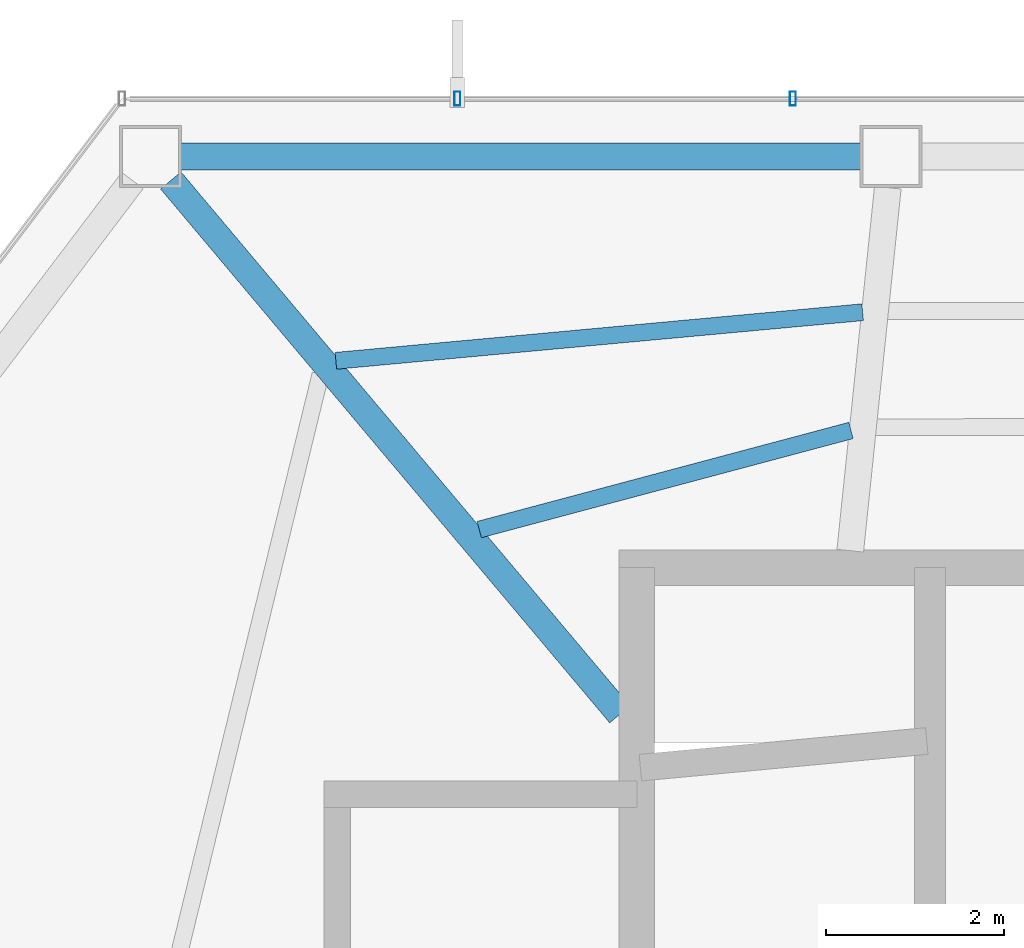
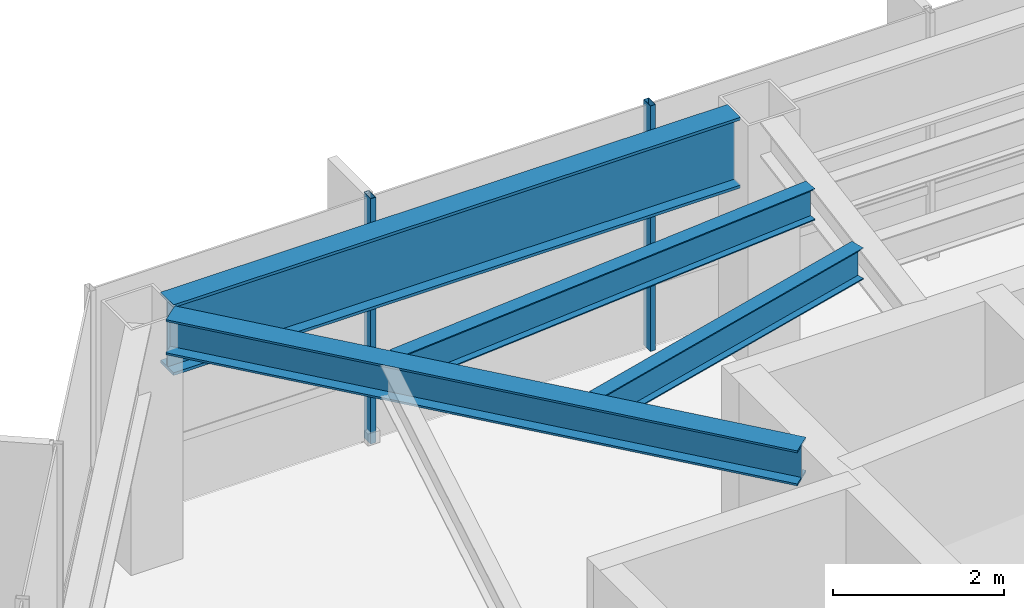
# One storey, part 12 of 27: 4 beams, 2 members, 1 element without a shape of its own.
"""IFC4 building model written with IfcOpenShell, lengths in metres."""

from ifc_helpers import new_model, si_unit, direction, frame, origin, origin_2d, place, context, subcontext, project, spatial, hollow_rectangle, i_section, extrude, material, layer, layer_set, material_profile, profile_set, type_object, element, aggregate, save


model = new_model("IFC4")

# Units and contexts
model_context = context("Model", 3, precision=1e-05, world=origin(), true_north=direction((0.0, 1.0)))
body_context = subcontext(model_context, "Body", "Model", "MODEL_VIEW")
ifc_project = project(units=[si_unit("LENGTHUNIT", "METRE"), si_unit("AREAUNIT", "SQUARE_METRE"), si_unit("VOLUMEUNIT", "CUBIC_METRE"), si_unit("PLANEANGLEUNIT", "RADIAN"), si_unit("MASSUNIT", "GRAM", prefix="KILO")], contexts=[model_context])

# Site, building, storey
site_placement = place(None, origin())
site = spatial("IfcSite", under=ifc_project, at=site_placement, CompositionType="ELEMENT")
building_placement = place(site_placement, origin())
building = spatial("IfcBuilding", under=site, at=building_placement, Name="Zarrinselat Tower", CompositionType="ELEMENT")
storey_placement = place(building_placement, frame((0.0, 0.0, 175.780029296875)))
storey = spatial("IfcBuildingStorey", under=building, at=storey_placement, Name="L43", CompositionType="ELEMENT", Elevation=175.780029296875)

# Beams
ifc_material_1 = material(Name="Steel S355J2", Category="steel")
ifc_material_profile_1 = material_profile(ifc_material_1, i_section(OverallWidth=0.300048828125, OverallDepth=0.5, WebThickness=0.014404296875, FlangeThickness=0.028076171875, at=origin_2d()), Name="HEB 500")
ifc_profile_set_1 = profile_set([ifc_material_profile_1], Name="Steel S355J2")
beam_type_1 = type_object("IfcBeamType", Name="BM-HEB500", PredefinedType="BEAM", material=ifc_profile_set_1)
beam_1_placement = place(storey_placement, frame((23.359619140625, 47.802978515625, 3.25), z_axis=(0.643777249364, -0.76521294631, 0.0), x_axis=(0.76521294631, 0.643777249364, 0.0)))
element("IfcBeam", 1, at=beam_1_placement, inside=storey, type_object=beam_type_1, Name="L43 Radial Primary Girder RG05", PredefinedType="BEAM", context=body_context, shape_type="SweptSolid", body=[
    extrude(i_section(OverallWidth=0.300048828125, OverallDepth=0.5, WebThickness=0.014404296875, FlangeThickness=0.028076171875, at=origin_2d()), origin(), (0.0, 0.0, 1.0), 7.8447265625),
])
ifc_material_2 = material(Name="Steel S460M", Category="steel")
ifc_material_profile_2 = material_profile(ifc_material_2, i_section(OverallWidth=0.302001953125, OverallDepth=1.008056640625, WebThickness=0.02099609375, FlangeThickness=0.0400390625, at=origin_2d()), Name="HEM 1000")
ifc_profile_set_2 = profile_set([ifc_material_profile_2], Name="Steel S460M")
beam_type_2 = type_object("IfcBeamType", Name="BM-HEM1000", PredefinedType="BEAM", material=ifc_profile_set_2)
beam_2_placement = place(storey_placement, frame((23.470947265625, 48.072265625, 2.995849609375), z_axis=(1.0, 0.0, 0.0), x_axis=(0.0, 1.0, 0.0)))
element("IfcBeam", 2, at=beam_2_placement, inside=storey, type_object=beam_type_2, Name="L43 Perimeter Spandrel Girder SP04", PredefinedType="BEAM", context=body_context, shape_type="SweptSolid", body=[
    extrude(i_section(OverallWidth=0.302001953125, OverallDepth=1.008056640625, WebThickness=0.02099609375, FlangeThickness=0.0400390625, at=origin_2d()), origin(), (0.0, 0.0, 1.0), 7.649658203125),
])
ifc_material_3 = material(Name="Steel S355J2", Category="steel")
ifc_material_profile_3 = material_profile(ifc_material_3, i_section(OverallWidth=0.18994140625, OverallDepth=0.449951171875, WebThickness=0.009521484375, FlangeThickness=0.0146484375, at=origin_2d()), Name="IPE 450")
ifc_profile_set_3 = profile_set([ifc_material_profile_3], Name="Steel S355J2")
beam_type_3 = type_object("IfcBeamType", Name="BM-IPE450", PredefinedType="JOIST", material=ifc_profile_set_3)
beam_3_placement = place(storey_placement, frame((25.216064453125, 45.77490234375, 3.27490234375), z_axis=(0.99577257183, 0.091853063051, 0.0), x_axis=(-0.091853063051, 0.99577257183, 0.0)))
element("IfcBeam", 3, at=beam_3_placement, inside=storey, type_object=beam_type_3, Name="L43 Composite Floor Joist 9-1", PredefinedType="JOIST", context=body_context, shape_type="SweptSolid", body=[
    extrude(i_section(OverallWidth=0.18994140625, OverallDepth=0.449951171875, WebThickness=0.009521484375, FlangeThickness=0.0146484375, at=origin_2d()), origin(), (0.0, 0.0, 1.0), 5.948486328125),
])
beam_4_placement = place(storey_placement, frame((26.828125, 43.877197265625, 3.27490234375), z_axis=(0.966247114954, 0.257616988656, 0.0), x_axis=(-0.257616988656, 0.966247114954, 0.0)))
element("IfcBeam", 4, at=beam_4_placement, inside=storey, type_object=beam_type_3, Name="L43 Composite Floor Joist 9-2", PredefinedType="JOIST", context=body_context, shape_type="SweptSolid", body=[
    extrude(i_section(OverallWidth=0.18994140625, OverallDepth=0.449951171875, WebThickness=0.009521484375, FlangeThickness=0.0146484375, at=origin_2d()), origin(), (0.0, 0.0, 1.0), 4.326171875),
])

# Curtain wall, members
ifc_material_4 = material(Name="Extruded Aluminium Alloy EN AW-6063 T6", Category="aluminium")
ifc_layer = layer(ifc_material_4, 0.175048828125)
ifc_layer_set = layer_set([ifc_layer], Name="Extruded Aluminium Alloy EN AW-6063 T6")
curtain_wall_type = type_object("IfcCurtainWallType", Name="CWS-HTL", PredefinedType="NOTDEFINED", material=ifc_layer_set)
curtain_wall_placement = place(storey_placement, origin())
curtain_wall = element("IfcCurtainWall", 5, at=curtain_wall_placement, inside=storey, type_object=curtain_wall_type, Name="L43 Unitised Curtain Wall CW-L43-E01", PredefinedType="NOTDEFINED")
ifc_material_5 = material(Name="Extruded Aluminium Alloy EN AW-6063 T6", Category="aluminium")
ifc_material_profile_4 = material_profile(ifc_material_5, hollow_rectangle(XDim=0.070068359375, YDim=0.159912109375, WallThickness=0.00390625, at=origin_2d()), Name="RHS 160x70x4")
ifc_profile_set_4 = profile_set([ifc_material_profile_4], Name="Extruded Aluminium Alloy EN AW-6063 T6")
member_type = type_object("IfcMemberType", Name="MEM-CW-MUL2", PredefinedType="MULLION", material=ifc_profile_set_4)
member_1_placement = place(storey_placement, frame((30.35400390625, 48.72216796875, 0.0), z_axis=(0.0, 0.0, 1.0), x_axis=(-1.0, 0.0, 0.0)))
member_1 = element("IfcMember", 6, at=member_1_placement, type_object=member_type, Name="CW-L43-E01 Mullion 8", PredefinedType="MULLION", context=body_context, shape_type="SweptSolid", body=[
    extrude(hollow_rectangle(XDim=0.070068359375, YDim=0.159912109375, WallThickness=0.00390625, at=origin_2d()), origin(), (0.0, 0.0, 1.0), 3.5),
])
member_2_placement = place(storey_placement, frame((26.58203125, 48.72216796875, 0.0), z_axis=(0.0, 0.0, 1.0), x_axis=(-1.0, 0.0, 0.0)))
member_2 = element("IfcMember", 7, at=member_2_placement, type_object=member_type, Name="CW-L43-E01 Mullion 9", PredefinedType="MULLION", context=body_context, shape_type="SweptSolid", body=[
    extrude(hollow_rectangle(XDim=0.070068359375, YDim=0.159912109375, WallThickness=0.00390625, at=origin_2d()), origin(), (0.0, 0.0, 1.0), 3.5),
])
aggregate(curtain_wall, [member_1, member_2])

save(model, "model.ifc")
